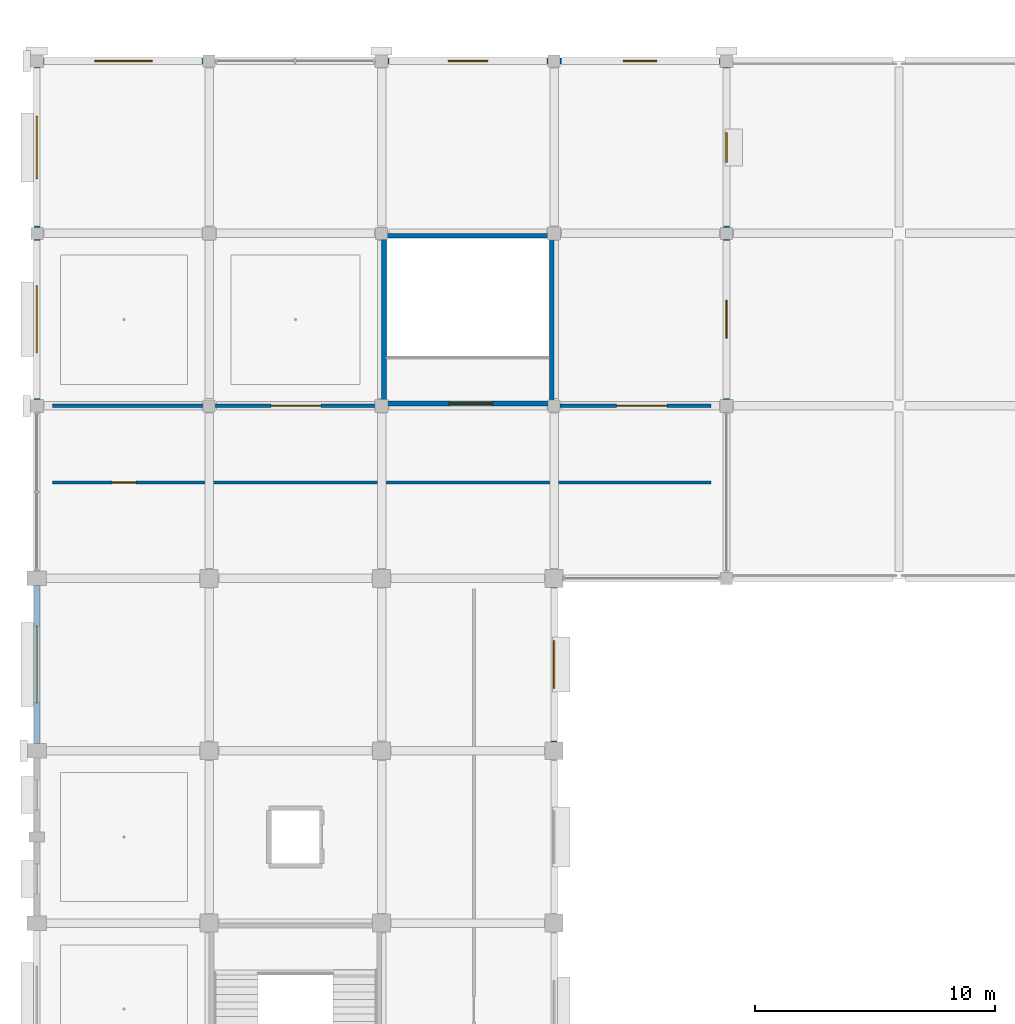
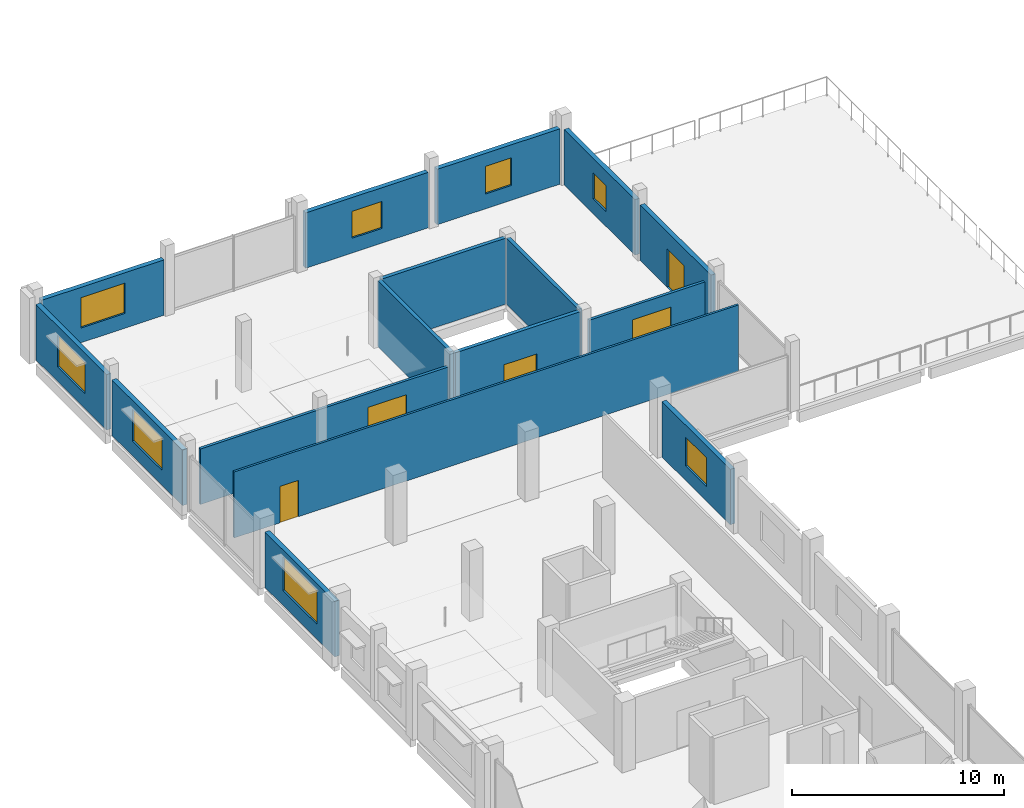
# One storey, part 69 of 91: 16 walls, 8 windows, 5 doors, 13 openings.
"""IFC4 building model written with IfcOpenShell, lengths in metres."""

from ifc_helpers import new_model, si_unit, direction, frame, frame_2d, origin, place, context, subcontext, project, spatial, rectangle, extrude, material, layer, layer_set, type_object, element, fill, save


model = new_model("IFC4")

# Units and contexts
model_context = context("Model", 3, precision=1e-05, world=origin(), true_north=direction((0.0, 1.0)))
body_context = subcontext(model_context, "Body", "Model", "MODEL_VIEW")
ifc_project = project(units=[si_unit("LENGTHUNIT", "METRE"), si_unit("AREAUNIT", "SQUARE_METRE"), si_unit("VOLUMEUNIT", "CUBIC_METRE"), si_unit("PLANEANGLEUNIT", "RADIAN"), si_unit("MASSUNIT", "GRAM", prefix="KILO")], contexts=[model_context])

# Site, building, storey
site_placement = place(None, origin())
site = spatial("IfcSite", under=ifc_project, at=site_placement, CompositionType="ELEMENT")
building_placement = place(site_placement, origin())
building = spatial("IfcBuilding", under=site, at=building_placement, Name="Kangsadwip Square Police Headquarters", CompositionType="ELEMENT")
storey_placement = place(building_placement, frame((0.0, 0.0, 13.5)))
storey = spatial("IfcBuildingStorey", under=building, at=storey_placement, Name="L03", CompositionType="ELEMENT", Elevation=13.5)

# Wall, opening, door
ifc_material_1 = material(Name="Fire-rated double gypsum board acoustic stud partition", Category="masonry")
ifc_layer_1 = layer(ifc_material_1, 0.1201171875)
ifc_layer_set_1 = layer_set([ifc_layer_1], Name="Fire-rated double gypsum board acoustic stud partition")
wall_type_1 = type_object("IfcWallType", Name="AcousticPartition120", PredefinedType="PARTITIONING", material=ifc_layer_set_1)
wall_1_placement = place(storey_placement, frame((0.64990234375, 97.60009765625, 0.0), z_axis=(0.0, 0.0, 1.0), x_axis=(1.0, 0.0, 0.0)))
wall_1 = element("IfcWall", 1, at=wall_1_placement, inside=storey, type_object=wall_type_1, Name="Interior Wall WI-L03-0814", PredefinedType="PARTITIONING", context=body_context, shape_type="SweptSolid", body=[
    extrude(rectangle(XDim=27.5, YDim=0.1201171875, at=frame_2d((13.75, 0.0))), origin(), (0.0, 0.0, 1.0), 3.81005859375),
])
opening_1_placement = place(wall_1_placement, frame((2.5, 0.0, 0.0)))
opening_1 = element("IfcOpeningElement", 2, at=opening_1_placement, cuts=wall_1, Name="Opening ID-10B", PredefinedType="OPENING", context=body_context, shape_type="SweptSolid", body=[
    extrude(rectangle(XDim=1.0, YDim=2.10009765625, at=frame_2d((0.5, 1.050048828125))), frame((0.0, 0.070068359375, 0.0), z_axis=(0.0, -1.0, 0.0), x_axis=(1.0, 0.0, 0.0)), (0.0, 0.0, 1.0), 0.14013671875),
])
ifc_material_2 = material(Name="Solid-core seasoned teak hardwood architectural door", Category="wood")
door_type_1 = type_object("IfcDoorType", Name="OfficeDoor1000x2100", OperationType="NOTDEFINED", PredefinedType="DOOR", material=ifc_material_2)
door_1_placement = place(opening_1_placement, origin())
door_1 = element("IfcDoor", 3, at=door_1_placement, inside=storey, type_object=door_type_1, Name="Interior Door ID-L03-0209", OperationType="SINGLE_SWING_RIGHT", OverallHeight=2.10009765625, OverallWidth=1.0, PredefinedType="DOOR", context=body_context, shape_type="SweptSolid", body=[
    extrude(rectangle(XDim=1.0, YDim=2.10009765625, at=frame_2d((0.5, 1.050048828125))), frame((0.0, 0.02490234375, 0.0), z_axis=(0.0, -1.0, 0.0), x_axis=(1.0, 0.0, 0.0)), (0.0, 0.0, 1.0), 0.050048828125),
])
fill(opening_1, door_1)

ifc_material_3 = material(Name="Autoclaved aerated concrete blockwork masonry", Category="masonry")
ifc_layer_2 = layer(ifc_material_3, 0.14990234375)
ifc_layer_set_2 = layer_set([ifc_layer_2], Name="Autoclaved aerated concrete blockwork masonry")
wall_type_2 = type_object("IfcWallType", Name="BlockPartition150", PredefinedType="PARTITIONING", material=ifc_layer_set_2)
wall_2_placement = place(storey_placement, frame((0.64990234375, 100.800048828125, 0.0), z_axis=(0.0, 0.0, 1.0), x_axis=(1.0, 0.0, 0.0)))
wall_2 = element("IfcWall", 4, at=wall_2_placement, inside=storey, type_object=wall_type_2, Name="Interior Wall WI-L03-0812", PredefinedType="PARTITIONING", context=body_context, shape_type="SweptSolid", body=[
    extrude(rectangle(XDim=13.5, YDim=0.14990234375, at=frame_2d((6.75, 0.0))), origin(), (0.0, 0.0, 1.0), 3.199951171875),
])
opening_2_placement = place(wall_2_placement, frame((9.1220703125, 0.0, 0.0)))
opening_2 = element("IfcOpeningElement", 5, at=opening_2_placement, cuts=wall_2, Name="Opening ID-21", PredefinedType="OPENING", context=body_context, shape_type="SweptSolid", body=[
    extrude(rectangle(XDim=2.10009765625, YDim=2.39990234375, at=frame_2d((1.050048828125, 1.199951171875))), frame((0.0, 0.0849609375, 0.0), z_axis=(0.0, -1.0, 0.0), x_axis=(1.0, 0.0, 0.0)), (0.0, 0.0, 1.0), 0.169921875),
])
ifc_material_4 = material(Name="Solid-core seasoned teak hardwood architectural door", Category="wood")
door_type_2 = type_object("IfcDoorType", Name="HallDoubleDoor2100x2400", OperationType="DOUBLE_DOOR_SINGLE_SWING", PredefinedType="DOOR", material=ifc_material_4)
door_2_placement = place(opening_2_placement, origin())
door_2 = element("IfcDoor", 6, at=door_2_placement, inside=storey, type_object=door_type_2, Name="Interior Door ID-L03-0207", OperationType="DOUBLE_DOOR_SINGLE_SWING", OverallHeight=2.39990234375, OverallWidth=2.10009765625, PredefinedType="DOOR", context=body_context, shape_type="SweptSolid", body=[
    extrude(rectangle(XDim=2.10009765625, YDim=2.39990234375, at=frame_2d((1.050048828125, 1.199951171875))), frame((0.0, 0.02490234375, 0.0), z_axis=(0.0, -1.0, 0.0), x_axis=(1.0, 0.0, 0.0)), (0.0, 0.0, 1.0), 0.050048828125),
])
fill(opening_2, door_2)

wall_3_placement = place(storey_placement, frame((21.85009765625, 100.800048828125, 0.0), z_axis=(0.0, 0.0, 1.0), x_axis=(1.0, 0.0, 0.0)))
wall_3 = element("IfcWall", 7, at=wall_3_placement, inside=storey, type_object=wall_type_2, Name="Interior Wall WI-L03-0813", PredefinedType="PARTITIONING", context=body_context, shape_type="SweptSolid", body=[
    extrude(rectangle(XDim=6.2998046875, YDim=0.14990234375, at=frame_2d((3.14990234375, 0.0))), origin(), (0.0, 0.0, 1.0), 3.199951171875),
])
opening_3_placement = place(wall_3_placement, frame((2.364013671875, 0.0, 0.0)))
opening_3 = element("IfcOpeningElement", 8, at=opening_3_placement, cuts=wall_3, Name="Opening ID-21", PredefinedType="OPENING", context=body_context, shape_type="SweptSolid", body=[
    extrude(rectangle(XDim=2.10009765625, YDim=2.39990234375, at=frame_2d((1.050048828125, 1.199951171875))), frame((0.0, 0.0849609375, 0.0), z_axis=(0.0, -1.0, 0.0), x_axis=(1.0, 0.0, 0.0)), (0.0, 0.0, 1.0), 0.169921875),
])
door_3_placement = place(opening_3_placement, origin())
door_3 = element("IfcDoor", 9, at=door_3_placement, inside=storey, type_object=door_type_2, Name="Interior Door ID-L03-0208", OperationType="DOUBLE_DOOR_SINGLE_SWING", OverallHeight=2.39990234375, OverallWidth=2.10009765625, PredefinedType="DOOR", context=body_context, shape_type="SweptSolid", body=[
    extrude(rectangle(XDim=2.10009765625, YDim=2.39990234375, at=frame_2d((1.050048828125, 1.199951171875))), frame((0.0, 0.02490234375, 0.0), z_axis=(0.0, -1.0, 0.0), x_axis=(1.0, 0.0, 0.0)), (0.0, 0.0, 1.0), 0.050048828125),
])
fill(opening_3, door_3)

# Wall, opening, window
ifc_material_5 = material(Name="Glazed architectural terracotta masonry rainscreen", Category="masonry")
ifc_layer_3 = layer(ifc_material_5, 0.25)
ifc_layer_set_3 = layer_set([ifc_layer_3], Name="Glazed architectural terracotta masonry rainscreen")
wall_type_3 = type_object("IfcWallType", Name="ChicagoTerracottaWall250", PredefinedType="SOLIDWALL", material=ifc_layer_set_3)
wall_4_placement = place(storey_placement, frame((0.27001953125, 115.199951171875, 0.0), z_axis=(0.0, 0.0, 1.0), x_axis=(1.0, 0.0, 0.0)))
wall_4 = element("IfcWall", 10, at=wall_4_placement, inside=storey, type_object=wall_type_3, Name="Exterior Wall WE-L03-375", PredefinedType="SOLIDWALL", context=body_context, shape_type="SweptSolid", body=[
    extrude(rectangle(XDim=6.68505859375, YDim=0.25, at=frame_2d((3.342529296875, 0.0))), origin(), (0.0, 0.0, 1.0), 3.195068359375),
])
opening_4_placement = place(wall_4_placement, frame((2.142578125, 0.0, 0.85009765625)))
opening_4 = element("IfcOpeningElement", 11, at=opening_4_placement, cuts=wall_4, Name="Opening WN-07", PredefinedType="OPENING", context=body_context, shape_type="SweptSolid", body=[
    extrude(rectangle(XDim=2.39990234375, YDim=1.75, at=frame_2d((1.199951171875, 0.875))), frame((0.0, 0.135009765625, 0.0), z_axis=(0.0, -1.0, 0.0), x_axis=(1.0, 0.0, 0.0)), (0.0, 0.0, 1.0), 0.27001953125),
])
ifc_material_6 = material(Name="Double-glazed solar-control low-E safety glass", Category="glass")
window_type_1 = type_object("IfcWindowType", Name="ChicagoDoubleMullWin2400x1750", PartitioningType="DOUBLE_PANEL_VERTICAL", PredefinedType="WINDOW", material=ifc_material_6)
window_1_placement = place(opening_4_placement, origin())
window_1 = element("IfcWindow", 12, at=window_1_placement, inside=storey, type_object=window_type_1, Name="Window WN-L03-0228", OverallHeight=1.75, OverallWidth=2.39990234375, PartitioningType="SINGLE_PANEL", PredefinedType="WINDOW", context=body_context, shape_type="SweptSolid", body=[
    extrude(rectangle(XDim=2.39990234375, YDim=1.75, at=frame_2d((1.199951171875, 0.875))), frame((0.0, 0.030029296875, 0.0), z_axis=(0.0, -1.0, 0.0), x_axis=(1.0, 0.0, 0.0)), (0.0, 0.0, 1.0), 0.06005859375),
])
fill(opening_4, window_1)

wall_5_placement = place(storey_placement, frame((14.669921875, 115.199951171875, 0.0), z_axis=(0.0, 0.0, 1.0), x_axis=(1.0, 0.0, 0.0)))
wall_5 = element("IfcWall", 13, at=wall_5_placement, inside=storey, type_object=wall_type_3, Name="Exterior Wall WE-L03-376", PredefinedType="SOLIDWALL", context=body_context, shape_type="SweptSolid", body=[
    extrude(rectangle(XDim=6.68505859375, YDim=0.25, at=frame_2d((3.342529296875, 0.0))), origin(), (0.0, 0.0, 1.0), 3.195068359375),
])
opening_5_placement = place(wall_5_placement, frame((2.517578125, 0.0, 0.85009765625)))
opening_5 = element("IfcOpeningElement", 14, at=opening_5_placement, cuts=wall_5, Name="Opening WN-11", PredefinedType="OPENING", context=body_context, shape_type="SweptSolid", body=[
    extrude(rectangle(XDim=1.64990234375, YDim=1.550048828125, at=frame_2d((0.824951171875, 0.77490234375))), frame((0.0, 0.135009765625, 0.0), z_axis=(0.0, -1.0, 0.0), x_axis=(1.0, 0.0, 0.0)), (0.0, 0.0, 1.0), 0.27001953125),
])
ifc_material_7 = material(Name="Double-glazed solar-control low-E safety glass", Category="glass")
window_type_2 = type_object("IfcWindowType", Name="LabCleanViewWin1650x1550", PartitioningType="SINGLE_PANEL", PredefinedType="WINDOW", material=ifc_material_7)
window_2_placement = place(opening_5_placement, origin())
window_2 = element("IfcWindow", 15, at=window_2_placement, inside=storey, type_object=window_type_2, Name="Window WN-L03-0229", OverallHeight=1.550048828125, OverallWidth=1.64990234375, PartitioningType="SINGLE_PANEL", PredefinedType="WINDOW", context=body_context, shape_type="SweptSolid", body=[
    extrude(rectangle(XDim=1.64990234375, YDim=1.550048828125, at=frame_2d((0.824951171875, 0.77490234375))), frame((0.0, 0.030029296875, 0.0), z_axis=(0.0, -1.0, 0.0), x_axis=(1.0, 0.0, 0.0)), (0.0, 0.0, 1.0), 0.06005859375),
])
fill(opening_5, window_2)

wall_6_placement = place(storey_placement, frame((21.844970703125, 115.199951171875, 0.0), z_axis=(0.0, 0.0, 1.0), x_axis=(1.0, 0.0, 0.0)))
wall_6 = element("IfcWall", 16, at=wall_6_placement, inside=storey, type_object=wall_type_3, Name="Exterior Wall WE-L03-377", PredefinedType="SOLIDWALL", context=body_context, shape_type="SweptSolid", body=[
    extrude(rectangle(XDim=6.68505859375, YDim=0.25, at=frame_2d((3.342529296875, 0.0))), origin(), (0.0, 0.0, 1.0), 3.195068359375),
])
opening_6_placement = place(wall_6_placement, frame((2.642578125, 0.0, 0.85009765625)))
opening_6 = element("IfcOpeningElement", 17, at=opening_6_placement, cuts=wall_6, Name="Opening WN-13", PredefinedType="OPENING", context=body_context, shape_type="SweptSolid", body=[
    extrude(rectangle(XDim=1.39990234375, YDim=1.60009765625, at=frame_2d((0.699951171875, 0.800048828125))), frame((0.0, 0.135009765625, 0.0), z_axis=(0.0, -1.0, 0.0), x_axis=(1.0, 0.0, 0.0)), (0.0, 0.0, 1.0), 0.27001953125),
])
ifc_material_8 = material(Name="Double-glazed solar-control low-E safety glass", Category="glass")
window_type_3 = type_object("IfcWindowType", Name="OfficeCasementWin1400x1600", PartitioningType="SINGLE_PANEL", PredefinedType="WINDOW", material=ifc_material_8)
window_3_placement = place(opening_6_placement, origin())
window_3 = element("IfcWindow", 18, at=window_3_placement, inside=storey, type_object=window_type_3, Name="Window WN-L03-0230", OverallHeight=1.60009765625, OverallWidth=1.39990234375, PartitioningType="SINGLE_PANEL", PredefinedType="WINDOW", context=body_context, shape_type="SweptSolid", body=[
    extrude(rectangle(XDim=1.39990234375, YDim=1.60009765625, at=frame_2d((0.699951171875, 0.800048828125))), frame((0.0, 0.030029296875, 0.0), z_axis=(0.0, -1.0, 0.0), x_axis=(1.0, 0.0, 0.0)), (0.0, 0.0, 1.0), 0.06005859375),
])
fill(opening_6, window_3)

wall_7_placement = place(storey_placement, frame((0.0, 86.695068359375, 0.0), z_axis=(0.0, 0.0, 1.0), x_axis=(0.0, 1.0, 0.0)))
wall_7 = element("IfcWall", 19, at=wall_7_placement, inside=storey, type_object=wall_type_3, Name="Exterior Wall WE-L03-389", PredefinedType="SOLIDWALL", context=body_context, shape_type="SweptSolid", body=[
    extrude(rectangle(XDim=6.60986328125, YDim=0.25, at=frame_2d((3.304931640625, 0.0))), origin(), (0.0, 0.0, 1.0), 3.195068359375),
])
opening_7_placement = place(wall_7_placement, frame((1.705078125, 0.0, 0.85009765625)))
opening_7 = element("IfcOpeningElement", 20, at=opening_7_placement, cuts=wall_7, Name="Opening WN-03", PredefinedType="OPENING", context=body_context, shape_type="SweptSolid", body=[
    extrude(rectangle(XDim=3.199951171875, YDim=1.949951171875, at=frame_2d((1.60009765625, 0.97509765625))), frame((0.0, 0.135009765625, 0.0), z_axis=(0.0, -1.0, 0.0), x_axis=(1.0, 0.0, 0.0)), (0.0, 0.0, 1.0), 0.27001953125),
])
ifc_material_9 = material(Name="Double-glazed solar-control low-E safety glass", Category="glass")
window_type_4 = type_object("IfcWindowType", Name="ChicagoTripartiteWin3200x1950", PartitioningType="TRIPLE_PANEL_HORIZONTAL", PredefinedType="WINDOW", material=ifc_material_9)
window_4_placement = place(opening_7_placement, origin())
window_4 = element("IfcWindow", 21, at=window_4_placement, inside=storey, type_object=window_type_4, Name="Window WN-L03-0242", OverallHeight=1.949951171875, OverallWidth=3.199951171875, PartitioningType="SINGLE_PANEL", PredefinedType="WINDOW", context=body_context, shape_type="SweptSolid", body=[
    extrude(rectangle(XDim=3.199951171875, YDim=1.949951171875, at=frame_2d((1.60009765625, 0.97509765625))), frame((0.0, 0.030029296875, 0.0), z_axis=(0.0, -1.0, 0.0), x_axis=(1.0, 0.0, 0.0)), (0.0, 0.0, 1.0), 0.06005859375),
])
fill(opening_7, window_4)

wall_8_placement = place(storey_placement, frame((0.0, 101.070068359375, 0.0), z_axis=(0.0, 0.0, 1.0), x_axis=(0.0, 1.0, 0.0)))
wall_8 = element("IfcWall", 22, at=wall_8_placement, inside=storey, type_object=wall_type_3, Name="Exterior Wall WE-L03-390", PredefinedType="SOLIDWALL", context=body_context, shape_type="SweptSolid", body=[
    extrude(rectangle(XDim=6.684814453125, YDim=0.25, at=frame_2d((3.34228515625, 0.0))), origin(), (0.0, 0.0, 1.0), 3.195068359375),
])
opening_8_placement = place(wall_8_placement, frame((1.9423828125, 0.0, 0.85009765625)))
opening_8 = element("IfcOpeningElement", 23, at=opening_8_placement, cuts=wall_8, Name="Opening WN-05", PredefinedType="OPENING", context=body_context, shape_type="SweptSolid", body=[
    extrude(rectangle(XDim=2.800048828125, YDim=1.85009765625, at=frame_2d((1.39990234375, 0.925048828125))), frame((0.0, 0.135009765625, 0.0), z_axis=(0.0, -1.0, 0.0), x_axis=(1.0, 0.0, 0.0)), (0.0, 0.0, 1.0), 0.27001953125),
])
ifc_material_10 = material(Name="Double-glazed solar-control low-E safety glass", Category="glass")
window_type_5 = type_object("IfcWindowType", Name="ChicagoDoubleMullWin2800x1850", PartitioningType="DOUBLE_PANEL_VERTICAL", PredefinedType="WINDOW", material=ifc_material_10)
window_5_placement = place(opening_8_placement, origin())
window_5 = element("IfcWindow", 24, at=window_5_placement, inside=storey, type_object=window_type_5, Name="Window WN-L03-0243", OverallHeight=1.85009765625, OverallWidth=2.800048828125, PartitioningType="SINGLE_PANEL", PredefinedType="WINDOW", context=body_context, shape_type="SweptSolid", body=[
    extrude(rectangle(XDim=2.800048828125, YDim=1.85009765625, at=frame_2d((1.39990234375, 0.925048828125))), frame((0.0, 0.030029296875, 0.0), z_axis=(0.0, -1.0, 0.0), x_axis=(1.0, 0.0, 0.0)), (0.0, 0.0, 1.0), 0.06005859375),
])
fill(opening_8, window_5)

wall_9_placement = place(storey_placement, frame((0.0, 108.2451171875, 0.0), z_axis=(0.0, 0.0, 1.0), x_axis=(0.0, 1.0, 0.0)))
wall_9 = element("IfcWall", 25, at=wall_9_placement, inside=storey, type_object=wall_type_3, Name="Exterior Wall WE-L03-391", PredefinedType="SOLIDWALL", context=body_context, shape_type="SweptSolid", body=[
    extrude(rectangle(XDim=6.684814453125, YDim=0.25, at=frame_2d((3.34228515625, 0.0))), origin(), (0.0, 0.0, 1.0), 3.195068359375),
])
opening_9_placement = place(wall_9_placement, frame((2.04248046875, 0.0, 0.85009765625)))
opening_9 = element("IfcOpeningElement", 26, at=opening_9_placement, cuts=wall_9, Name="Opening WN-06", PredefinedType="OPENING", context=body_context, shape_type="SweptSolid", body=[
    extrude(rectangle(XDim=2.60009765625, YDim=1.800048828125, at=frame_2d((1.300048828125, 0.89990234375))), frame((0.0, 0.135009765625, 0.0), z_axis=(0.0, -1.0, 0.0), x_axis=(1.0, 0.0, 0.0)), (0.0, 0.0, 1.0), 0.27001953125),
])
ifc_material_11 = material(Name="Double-glazed solar-control low-E safety glass", Category="glass")
window_type_6 = type_object("IfcWindowType", Name="ChicagoDoubleMullWin2600x1800", PartitioningType="DOUBLE_PANEL_VERTICAL", PredefinedType="WINDOW", material=ifc_material_11)
window_6_placement = place(opening_9_placement, origin())
window_6 = element("IfcWindow", 27, at=window_6_placement, inside=storey, type_object=window_type_6, Name="Window WN-L03-0244", OverallHeight=1.800048828125, OverallWidth=2.60009765625, PartitioningType="SINGLE_PANEL", PredefinedType="WINDOW", context=body_context, shape_type="SweptSolid", body=[
    extrude(rectangle(XDim=2.60009765625, YDim=1.800048828125, at=frame_2d((1.300048828125, 0.89990234375))), frame((0.0, 0.030029296875, 0.0), z_axis=(0.0, -1.0, 0.0), x_axis=(1.0, 0.0, 0.0)), (0.0, 0.0, 1.0), 0.06005859375),
])
fill(opening_9, window_6)

wall_10_placement = place(storey_placement, frame((21.60009765625, 86.77001953125, 0.0), z_axis=(0.0, 0.0, 1.0), x_axis=(0.0, 1.0, 0.0)))
wall_10 = element("IfcWall", 28, at=wall_10_placement, inside=storey, type_object=wall_type_3, Name="Exterior Wall WE-L03-396", PredefinedType="SOLIDWALL", context=body_context, shape_type="SweptSolid", body=[
    extrude(rectangle(XDim=6.4599609375, YDim=0.25, at=frame_2d((3.22998046875, 0.0))), origin(), (0.0, 0.0, 1.0), 3.195068359375),
])
opening_10_placement = place(wall_10_placement, frame((2.22998046875, 0.0, 0.85009765625)))
opening_10 = element("IfcOpeningElement", 29, at=opening_10_placement, cuts=wall_10, Name="Opening WN-09", PredefinedType="OPENING", context=body_context, shape_type="SweptSolid", body=[
    extrude(rectangle(XDim=2.0, YDim=1.64990234375, at=frame_2d((1.0, 0.824951171875))), frame((0.0, 0.135009765625, 0.0), z_axis=(0.0, -1.0, 0.0), x_axis=(1.0, 0.0, 0.0)), (0.0, 0.0, 1.0), 0.27001953125),
])
ifc_material_12 = material(Name="Double-glazed solar-control low-E safety glass", Category="glass")
window_type_7 = type_object("IfcWindowType", Name="ChicagoDoubleMullWin2000x1650", PartitioningType="DOUBLE_PANEL_VERTICAL", PredefinedType="WINDOW", material=ifc_material_12)
window_7_placement = place(opening_10_placement, origin())
window_7 = element("IfcWindow", 30, at=window_7_placement, inside=storey, type_object=window_type_7, Name="Window WN-L03-0249", OverallHeight=1.64990234375, OverallWidth=2.0, PartitioningType="SINGLE_PANEL", PredefinedType="WINDOW", context=body_context, shape_type="SweptSolid", body=[
    extrude(rectangle(XDim=2.0, YDim=1.64990234375, at=frame_2d((1.0, 0.824951171875))), frame((0.0, 0.030029296875, 0.0), z_axis=(0.0, -1.0, 0.0), x_axis=(1.0, 0.0, 0.0)), (0.0, 0.0, 1.0), 0.06005859375),
])
fill(opening_10, window_7)

# Wall, opening, door
wall_11_placement = place(storey_placement, frame((28.800048828125, 101.070068359375, 0.0), z_axis=(0.0, 0.0, 1.0), x_axis=(0.0, 1.0, 0.0)))
wall_11 = element("IfcWall", 31, at=wall_11_placement, inside=storey, type_object=wall_type_3, Name="Exterior Wall WE-L03-397", PredefinedType="SOLIDWALL", context=body_context, shape_type="SweptSolid", body=[
    extrude(rectangle(XDim=6.684814453125, YDim=0.25, at=frame_2d((3.34228515625, 0.0))), origin(), (0.0, 0.0, 1.0), 3.195068359375),
])
opening_11_placement = place(wall_11_placement, frame((2.54248046875, 0.0, 0.0)))
opening_11 = element("IfcOpeningElement", 32, at=opening_11_placement, cuts=wall_11, Name="Opening TD-16", PredefinedType="OPENING", context=body_context, shape_type="SweptSolid", body=[
    extrude(rectangle(XDim=1.60009765625, YDim=2.199951171875, at=frame_2d((0.800048828125, 1.10009765625))), frame((0.0, 0.135009765625, 0.0), z_axis=(0.0, -1.0, 0.0), x_axis=(1.0, 0.0, 0.0)), (0.0, 0.0, 1.0), 0.27001953125),
])
ifc_material_13 = material(Name="Galvanized hollow-metal architectural steel door assembly", Category="steel")
door_type_3 = type_object("IfcDoorType", Name="TerraceAccessDoubleDoor1600x2200", OperationType="DOUBLE_DOOR_SINGLE_SWING", PredefinedType="DOOR", material=ifc_material_13)
door_4_placement = place(opening_11_placement, origin())
door_4 = element("IfcDoor", 33, at=door_4_placement, inside=storey, type_object=door_type_3, Name="Exterior Door ED-L03-020", OperationType="DOUBLE_DOOR_SINGLE_SWING", OverallHeight=2.199951171875, OverallWidth=1.60009765625, PredefinedType="DOOR", context=body_context, shape_type="SweptSolid", body=[
    extrude(rectangle(XDim=1.60009765625, YDim=2.199951171875, at=frame_2d((0.800048828125, 1.10009765625))), frame((0.0, 0.02490234375, 0.0), z_axis=(0.0, -1.0, 0.0), x_axis=(1.0, 0.0, 0.0)), (0.0, 0.0, 1.0), 0.050048828125),
])
fill(opening_11, door_4)

# Wall, opening, window
wall_12_placement = place(storey_placement, frame((28.800048828125, 108.2451171875, 0.0), z_axis=(0.0, 0.0, 1.0), x_axis=(0.0, 1.0, 0.0)))
wall_12 = element("IfcWall", 34, at=wall_12_placement, inside=storey, type_object=wall_type_3, Name="Exterior Wall WE-L03-398", PredefinedType="SOLIDWALL", context=body_context, shape_type="SweptSolid", body=[
    extrude(rectangle(XDim=6.684814453125, YDim=0.25, at=frame_2d((3.34228515625, 0.0))), origin(), (0.0, 0.0, 1.0), 3.195068359375),
])
opening_12_placement = place(wall_12_placement, frame((2.717529296875, 0.0, 0.85009765625)))
opening_12 = element("IfcOpeningElement", 35, at=opening_12_placement, cuts=wall_12, Name="Opening WN-14", PredefinedType="OPENING", context=body_context, shape_type="SweptSolid", body=[
    extrude(rectangle(XDim=1.25, YDim=1.5, at=frame_2d((0.625, 0.75))), frame((0.0, 0.135009765625, 0.0), z_axis=(0.0, -1.0, 0.0), x_axis=(1.0, 0.0, 0.0)), (0.0, 0.0, 1.0), 0.27001953125),
])
ifc_material_14 = material(Name="Double-glazed solar-control low-E safety glass", Category="glass")
window_type_8 = type_object("IfcWindowType", Name="OfficeCasementWin1250x1500", PartitioningType="SINGLE_PANEL", PredefinedType="WINDOW", material=ifc_material_14)
window_8_placement = place(opening_12_placement, origin())
window_8 = element("IfcWindow", 36, at=window_8_placement, inside=storey, type_object=window_type_8, Name="Window WN-L03-0250", OverallHeight=1.5, OverallWidth=1.25, PartitioningType="SINGLE_PANEL", PredefinedType="WINDOW", context=body_context, shape_type="SweptSolid", body=[
    extrude(rectangle(XDim=1.25, YDim=1.5, at=frame_2d((0.625, 0.75))), frame((0.0, 0.030029296875, 0.0), z_axis=(0.0, -1.0, 0.0), x_axis=(1.0, 0.0, 0.0)), (0.0, 0.0, 1.0), 0.06005859375),
])
fill(opening_12, window_8)

# Wall, opening, door
ifc_material_15 = material(Name="Concrete M40 (40 MPa)", Category="concrete")
ifc_layer_4 = layer(ifc_material_15, 0.199951171875)
ifc_layer_set_4 = layer_set([ifc_layer_4], Name="Concrete M40 (40 MPa)")
wall_type_4 = type_object("IfcWallType", Name="CoreShearWall200", PredefinedType="SHEAR", material=ifc_layer_set_4)
wall_13_placement = place(storey_placement, frame((14.60009765625, 100.89990234375, 0.0), z_axis=(0.0, 0.0, 1.0), x_axis=(1.0, 0.0, 0.0)))
wall_13 = element("IfcWall", 37, at=wall_13_placement, inside=storey, type_object=wall_type_4, Name="Interior Wall WI-L03-0213", PredefinedType="SHEAR", context=body_context, shape_type="SweptSolid", body=[
    extrude(rectangle(XDim=6.7998046875, YDim=0.199951171875, at=frame_2d((3.39990234375, 0.0))), origin(), (0.0, 0.0, 1.0), 3.81005859375),
])
opening_13_placement = place(wall_13_placement, frame((2.632080078125, 0.0, 0.0)))
opening_13 = element("IfcOpeningElement", 38, at=opening_13_placement, cuts=wall_13, Name="Opening FD-18", PredefinedType="OPENING", context=body_context, shape_type="SweptSolid", body=[
    extrude(rectangle(XDim=1.800048828125, YDim=2.199951171875, at=frame_2d((0.89990234375, 1.10009765625))), frame((0.0, 0.10986328125, 0.0), z_axis=(0.0, -1.0, 0.0), x_axis=(1.0, 0.0, 0.0)), (0.0, 0.0, 1.0), 0.219970703125),
])
ifc_material_16 = material(Name="Insulated galvanized steel fire-rated door assembly", Category="steel")
door_type_4 = type_object("IfcDoorType", Name="StairFireDoor1800x2200", OperationType="DOUBLE_DOOR_SINGLE_SWING", PredefinedType="DOOR", material=ifc_material_16)
door_5_placement = place(opening_13_placement, origin())
door_5 = element("IfcDoor", 39, at=door_5_placement, inside=storey, type_object=door_type_4, Name="Interior Door ID-L03-0049", OperationType="DOUBLE_DOOR_SINGLE_SWING", OverallHeight=2.199951171875, OverallWidth=1.800048828125, PredefinedType="DOOR", context=body_context, shape_type="SweptSolid", body=[
    extrude(rectangle(XDim=1.800048828125, YDim=2.199951171875, at=frame_2d((0.89990234375, 1.10009765625))), frame((0.0, 0.02490234375, 0.0), z_axis=(0.0, -1.0, 0.0), x_axis=(1.0, 0.0, 0.0)), (0.0, 0.0, 1.0), 0.050048828125),
])
fill(opening_13, door_5)

# Walls
wall_14_placement = place(storey_placement, frame((14.60009765625, 107.89990234375, 0.0), z_axis=(0.0, 0.0, 1.0), x_axis=(1.0, 0.0, 0.0)))
element("IfcWall", 40, at=wall_14_placement, inside=storey, type_object=wall_type_4, Name="Interior Wall WI-L03-0214", PredefinedType="SHEAR", context=body_context, shape_type="SweptSolid", body=[
    extrude(rectangle(XDim=6.7998046875, YDim=0.199951171875, at=frame_2d((3.39990234375, 0.0))), origin(), (0.0, 0.0, 1.0), 3.81005859375),
])
for number, where, z_axis, x_axis, name in (
    (41, (14.5, 101.0, 0.0), (0.0, 0.0, 1.0), (0.0, 1.0, 0.0), "Interior Wall WI-L03-0215"),
    (42, (21.5, 101.0, 0.0), (0.0, 0.0, 1.0), (0.0, 1.0, 0.0), "Interior Wall WI-L03-0216"),
):
    element("IfcWall", number, at=place(storey_placement, frame(where, z_axis=z_axis, x_axis=x_axis)), inside=storey, type_object=wall_type_4, Name=name, PredefinedType="SHEAR", context=body_context, shape_type="SweptSolid", body=[
        extrude(rectangle(XDim=6.800048828125, YDim=0.199951171875, at=frame_2d((3.39990234375, 0.0))), origin(), (0.0, 0.0, 1.0), 3.81005859375),
    ])

save(model, "model.ifc")
